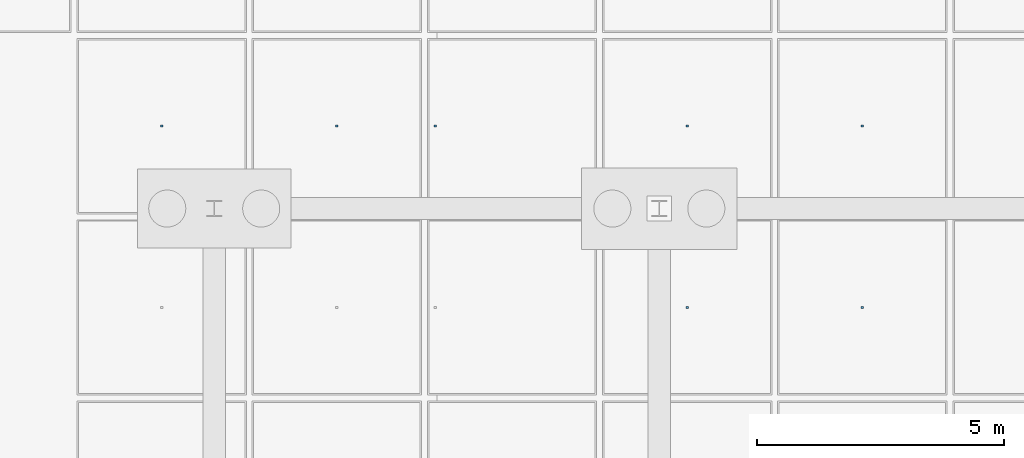
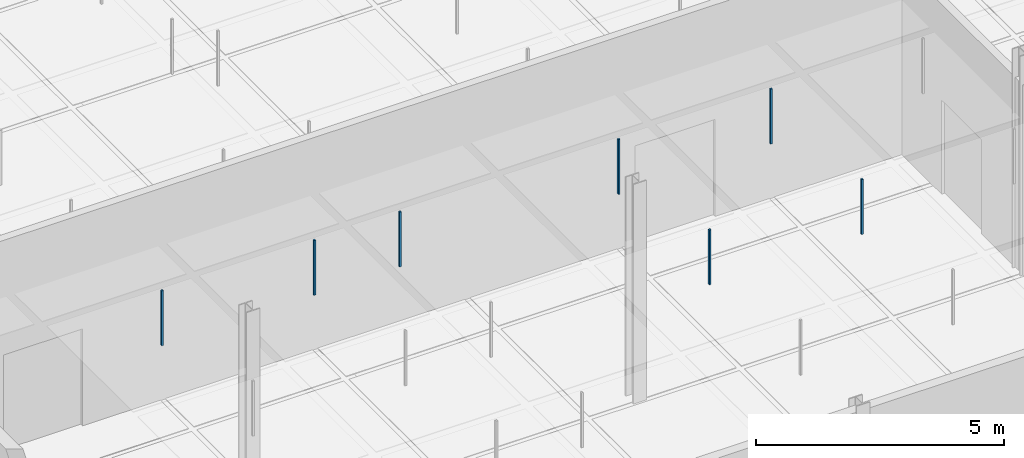
# One storey, part 147 of 180: 7 discrete accessories.
"""IFC4 building model written with IfcOpenShell, lengths in metres."""

from ifc_helpers import new_model, si_unit, direction, frame, origin, origin_2d, place, context, subcontext, project, spatial, rectangle, extrude, material, type_object, element, save


model = new_model("IFC4")

# Units and contexts
model_context = context("Model", 3, precision=1e-05, world=origin(), true_north=direction((0.0, 1.0)))
body_context = subcontext(model_context, "Body", "Model", "MODEL_VIEW")
ifc_project = project(units=[si_unit("LENGTHUNIT", "METRE"), si_unit("AREAUNIT", "SQUARE_METRE"), si_unit("VOLUMEUNIT", "CUBIC_METRE"), si_unit("PLANEANGLEUNIT", "RADIAN"), si_unit("MASSUNIT", "GRAM", prefix="KILO"), si_unit("THERMODYNAMICTEMPERATUREUNIT", "KELVIN"), si_unit("POWERUNIT", "WATT")], contexts=[model_context])

# Site, building, storey
site_placement = place(None, origin())
site = spatial("IfcSite", under=ifc_project, at=site_placement, CompositionType="ELEMENT")
building_placement = place(site_placement, origin())
building = spatial("IfcBuilding", under=site, at=building_placement, Name="Tallowbark Science Centre", CompositionType="ELEMENT")
storey_placement = place(building_placement, origin())
storey = spatial("IfcBuildingStorey", under=building, at=storey_placement, Name="L00", CompositionType="ELEMENT", Elevation=0.0)

# Discrete accessories
ifc_material = material(Name="Galvanised Steel Grade C350L0 (350 MPa)", Category="steel")
discrete_accessory_type = type_object("IfcDiscreteAccessoryType", Name="ACC-CLG-HNG", PredefinedType="BRACKET", material=ifc_material)
for number, where, z_axis, x_axis, name in (
    (1, (129.4375, 10.666748046875, 3.8095703125), (0.0, 0.0, 1.0), (1.0, 0.0, 0.0), "Ceiling Hanger Bracket L00-227"),
    (2, (132.979248046875, 10.666748046875, 3.8095703125), (0.0, 0.0, 1.0), (1.0, 0.0, 0.0), "Ceiling Hanger Bracket L00-236"),
    (3, (134.969970703125, 10.666748046875, 3.8095703125), (0.0, 0.0, 1.0), (1.0, 0.0, 0.0), "Ceiling Hanger Bracket L00-245"),
    (4, (140.0625, 7.0, 3.8095703125), (0.0, 0.0, 1.0), (1.0, 0.0, 0.0), "Ceiling Hanger Bracket L00-253"),
    (5, (140.0625, 10.666748046875, 3.8095703125), (0.0, 0.0, 1.0), (1.0, 0.0, 0.0), "Ceiling Hanger Bracket L00-254"),
    (6, (143.604248046875, 7.0, 3.8095703125), (0.0, 0.0, 1.0), (1.0, 0.0, 0.0), "Ceiling Hanger Bracket L00-262"),
    (7, (143.604248046875, 10.666748046875, 3.8095703125), (0.0, 0.0, 1.0), (1.0, 0.0, 0.0), "Ceiling Hanger Bracket L00-263"),
):
    element("IfcDiscreteAccessory", number, at=place(storey_placement, frame(where, z_axis=z_axis, x_axis=x_axis)), inside=storey, type_object=discrete_accessory_type, Name=name, PredefinedType="BRACKET", context=body_context, shape_type="SweptSolid", body=[
        extrude(rectangle(XDim=0.044921875, YDim=0.044921875, at=origin_2d()), origin(), (0.0, 0.0, 1.0), 1.353515625),
    ])

save(model, "model.ifc")
